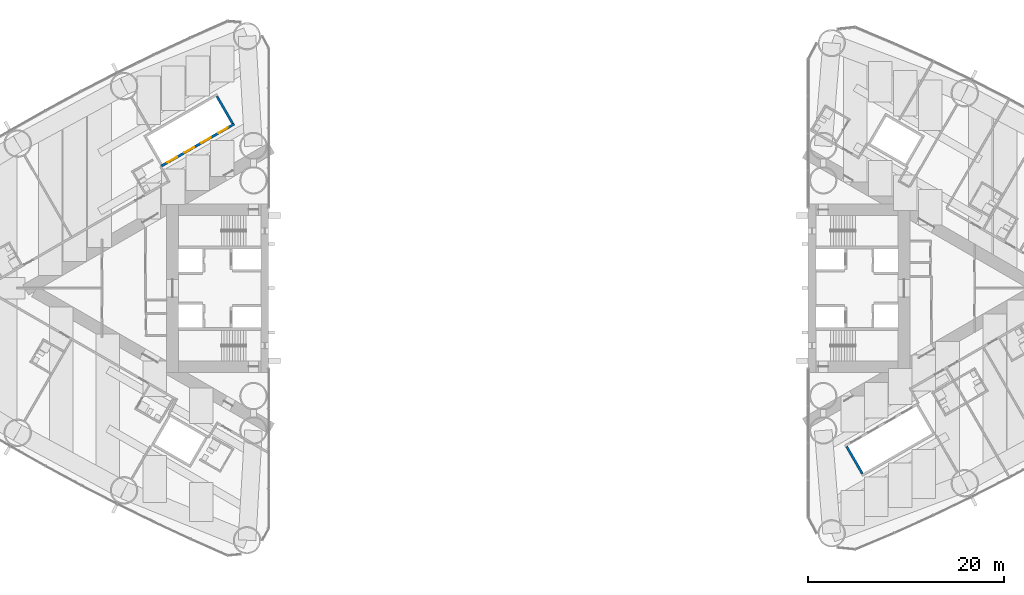
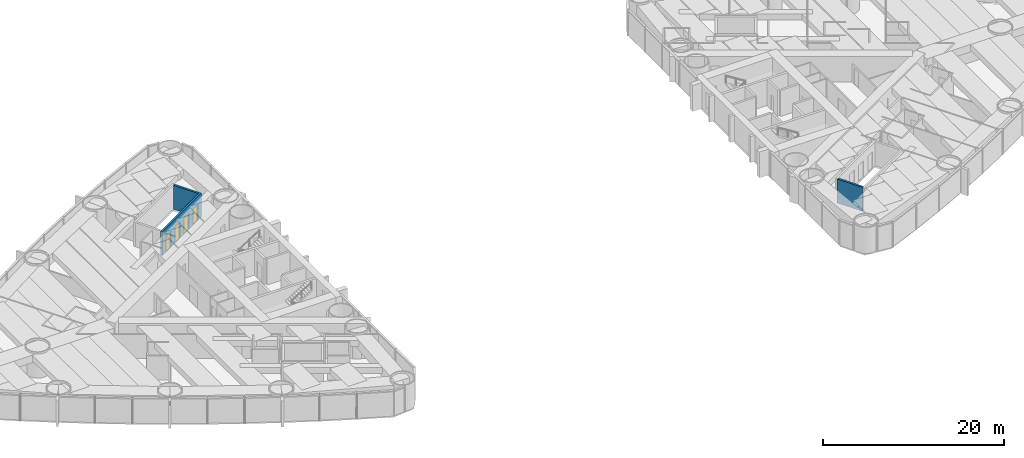
# One storey, part 13 of 19: 4 doors, 3 walls, 4 openings.
"""IFC4 building model written with IfcOpenShell, lengths in metres."""

from ifc_helpers import new_model, si_unit, direction, frame, frame_2d, origin, place, context, subcontext, project, spatial, rectangle, extrude, material, layer, layer_set, type_object, element, fill, save


model = new_model("IFC4")

# Units and contexts
model_context = context("Model", 3, precision=1e-05, world=origin(), true_north=direction((0.0, 1.0)))
body_context = subcontext(model_context, "Body", "Model", "MODEL_VIEW")
ifc_project = project(units=[si_unit("LENGTHUNIT", "METRE"), si_unit("AREAUNIT", "SQUARE_METRE"), si_unit("VOLUMEUNIT", "CUBIC_METRE"), si_unit("PLANEANGLEUNIT", "RADIAN"), si_unit("MASSUNIT", "GRAM", prefix="KILO")], contexts=[model_context])

# Site, building, storey
site_placement = place(None, origin())
site = spatial("IfcSite", under=ifc_project, at=site_placement, CompositionType="ELEMENT")
building_placement = place(site_placement, origin())
building = spatial("IfcBuilding", under=site, at=building_placement, Name="Lancet Gate Hotel", CompositionType="ELEMENT")
storey_placement = place(building_placement, frame((0.0, 0.0, 28.5)))
storey = spatial("IfcBuildingStorey", under=building, at=storey_placement, Name="L06", CompositionType="ELEMENT", Elevation=28.5)

# Wall, openings, doors
ifc_material_1 = material(Name="Gypsum board partition")
ifc_layer = layer(ifc_material_1, 0.25)
ifc_layer_set = layer_set([ifc_layer], Name="Lift shaft partition 250")
wall_type = type_object("IfcWallType", Name="Lift shaft partition 250", PredefinedType="PARTITIONING", material=ifc_layer_set)
wall_placement = place(storey_placement, frame((-31.010498046875, 16.747314453125, 0.0), z_axis=(0.0, 0.0, 1.0), x_axis=(-0.866028165386, -0.499995216735, 0.0)))
wall = element("IfcWall", 1, at=wall_placement, inside=storey, type_object=wall_type, Name="T1 lift shaft wall LR L06", PredefinedType="PARTITIONING", context=body_context, shape_type="SweptSolid", body=[
    extrude(rectangle(XDim=8.60009765625, YDim=0.25, at=frame_2d((4.300048828125, 0.0))), origin(), (0.0, 0.0, 1.0), 3.25),
])
opening_1_placement = place(wall_placement, frame((0.75, 0.0, 0.0)))
opening_1 = element("IfcOpeningElement", 2, at=opening_1_placement, cuts=wall, Name="Opening T1-LR1-L06", PredefinedType="OPENING", context=body_context, shape_type="SweptSolid", body=[
    extrude(rectangle(XDim=1.10009765625, YDim=2.199951171875, at=frame_2d((0.550048828125, 1.10009765625))), frame((0.0, 0.135009765625, 0.0), z_axis=(0.0, -1.0, 0.0), x_axis=(1.0, 0.0, 0.0)), (0.0, 0.0, 1.0), 0.27001953125),
])
opening_2_placement = place(wall_placement, frame((2.75, 0.0, 0.0)))
opening_2 = element("IfcOpeningElement", 3, at=opening_2_placement, cuts=wall, Name="Opening T1-LR2-L06", PredefinedType="OPENING", context=body_context, shape_type="SweptSolid", body=[
    extrude(rectangle(XDim=1.10009765625, YDim=2.199951171875, at=frame_2d((0.550048828125, 1.10009765625))), frame((0.0, 0.135009765625, 0.0), z_axis=(0.0, -1.0, 0.0), x_axis=(1.0, 0.0, 0.0)), (0.0, 0.0, 1.0), 0.27001953125),
])
opening_3_placement = place(wall_placement, frame((4.75, 0.0, 0.0)))
opening_3 = element("IfcOpeningElement", 4, at=opening_3_placement, cuts=wall, Name="Opening T1-LR3-L06", PredefinedType="OPENING", context=body_context, shape_type="SweptSolid", body=[
    extrude(rectangle(XDim=1.10009765625, YDim=2.199951171875, at=frame_2d((0.550048828125, 1.10009765625))), frame((0.0, 0.135009765625, 0.0), z_axis=(0.0, -1.0, 0.0), x_axis=(1.0, 0.0, 0.0)), (0.0, 0.0, 1.0), 0.27001953125),
])
opening_4_placement = place(wall_placement, frame((6.75, 0.0, 0.0)))
opening_4 = element("IfcOpeningElement", 5, at=opening_4_placement, cuts=wall, Name="Opening T1-LR4-L06", PredefinedType="OPENING", context=body_context, shape_type="SweptSolid", body=[
    extrude(rectangle(XDim=1.10009765625, YDim=2.199951171875, at=frame_2d((0.550048828125, 1.10009765625))), frame((0.0, 0.135009765625, 0.0), z_axis=(0.0, -1.0, 0.0), x_axis=(1.0, 0.0, 0.0)), (0.0, 0.0, 1.0), 0.27001953125),
])
ifc_material_2 = material(Name="Steel door set", Category="steel")
door_type = type_object("IfcDoorType", Name="Lift landing door 1100", OperationType="DOUBLE_DOOR_SLIDING", PredefinedType="USERDEFINED", material=ifc_material_2)
door_1_placement = place(opening_1_placement, origin())
door_1 = element("IfcDoor", 6, at=door_1_placement, inside=storey, type_object=door_type, Name="T1-LR1-L06", ObjectType="LIFT LANDING DOOR", OperationType="DOUBLE_DOOR_SLIDING", OverallHeight=2.199951171875, OverallWidth=1.10009765625, PredefinedType="USERDEFINED", context=body_context, shape_type="SweptSolid", body=[
    extrude(rectangle(XDim=1.10009765625, YDim=2.199951171875, at=frame_2d((0.550048828125, 1.10009765625))), frame((0.0, 0.02490234375, 0.0), z_axis=(0.0, -1.0, 0.0), x_axis=(1.0, 0.0, 0.0)), (0.0, 0.0, 1.0), 0.050048828125),
])
fill(opening_1, door_1)
door_2_placement = place(opening_2_placement, origin())
door_2 = element("IfcDoor", 7, at=door_2_placement, inside=storey, type_object=door_type, Name="T1-LR2-L06", ObjectType="LIFT LANDING DOOR", OperationType="DOUBLE_DOOR_SLIDING", OverallHeight=2.199951171875, OverallWidth=1.10009765625, PredefinedType="USERDEFINED", context=body_context, shape_type="SweptSolid", body=[
    extrude(rectangle(XDim=1.10009765625, YDim=2.199951171875, at=frame_2d((0.550048828125, 1.10009765625))), frame((0.0, 0.02490234375, 0.0), z_axis=(0.0, -1.0, 0.0), x_axis=(1.0, 0.0, 0.0)), (0.0, 0.0, 1.0), 0.050048828125),
])
fill(opening_2, door_2)
door_3_placement = place(opening_3_placement, origin())
door_3 = element("IfcDoor", 8, at=door_3_placement, inside=storey, type_object=door_type, Name="T1-LR3-L06", ObjectType="LIFT LANDING DOOR", OperationType="DOUBLE_DOOR_SLIDING", OverallHeight=2.199951171875, OverallWidth=1.10009765625, PredefinedType="USERDEFINED", context=body_context, shape_type="SweptSolid", body=[
    extrude(rectangle(XDim=1.10009765625, YDim=2.199951171875, at=frame_2d((0.550048828125, 1.10009765625))), frame((0.0, 0.02490234375, 0.0), z_axis=(0.0, -1.0, 0.0), x_axis=(1.0, 0.0, 0.0)), (0.0, 0.0, 1.0), 0.050048828125),
])
fill(opening_3, door_3)
door_4_placement = place(opening_4_placement, origin())
door_4 = element("IfcDoor", 9, at=door_4_placement, inside=storey, type_object=door_type, Name="T1-LR4-L06", ObjectType="LIFT LANDING DOOR", OperationType="DOUBLE_DOOR_SLIDING", OverallHeight=2.199951171875, OverallWidth=1.10009765625, PredefinedType="USERDEFINED", context=body_context, shape_type="SweptSolid", body=[
    extrude(rectangle(XDim=1.10009765625, YDim=2.199951171875, at=frame_2d((0.550048828125, 1.10009765625))), frame((0.0, 0.02490234375, 0.0), z_axis=(0.0, -1.0, 0.0), x_axis=(1.0, 0.0, 0.0)), (0.0, 0.0, 1.0), 0.050048828125),
])
fill(opening_4, door_4)

# Walls
for number, where, z_axis, x_axis, name in (
    (10, (-31.18115234375, 16.79296875, 0.0), (0.0, 0.0, 1.0), (-0.499929347863, 0.866066190972, 0.0), "T1 lift shaft wall LR L06"),
    (11, (31.441162109375, -16.14306640625, 0.0), (0.0, 0.0, 1.0), (0.499929347863, -0.866066190972, 0.0), "T2 lift shaft wall LR L06"),
):
    element("IfcWall", number, at=place(storey_placement, frame(where, z_axis=z_axis, x_axis=x_axis)), inside=storey, type_object=wall_type, Name=name, PredefinedType="PARTITIONING", context=body_context, shape_type="SweptSolid", body=[
        extrude(rectangle(XDim=3.20068359375, YDim=0.25, at=frame_2d((1.600341796875, 0.0))), origin(), (0.0, 0.0, 1.0), 3.25),
    ])

save(model, "model.ifc")
